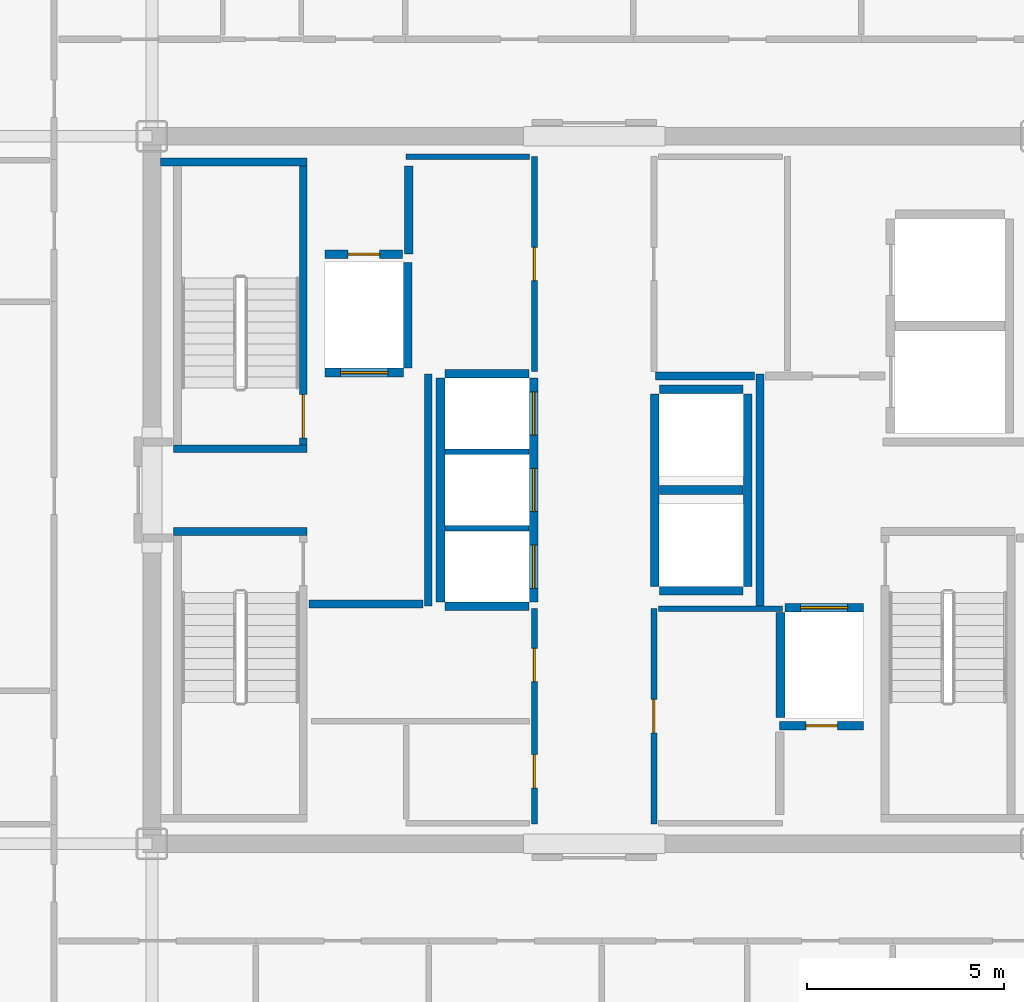
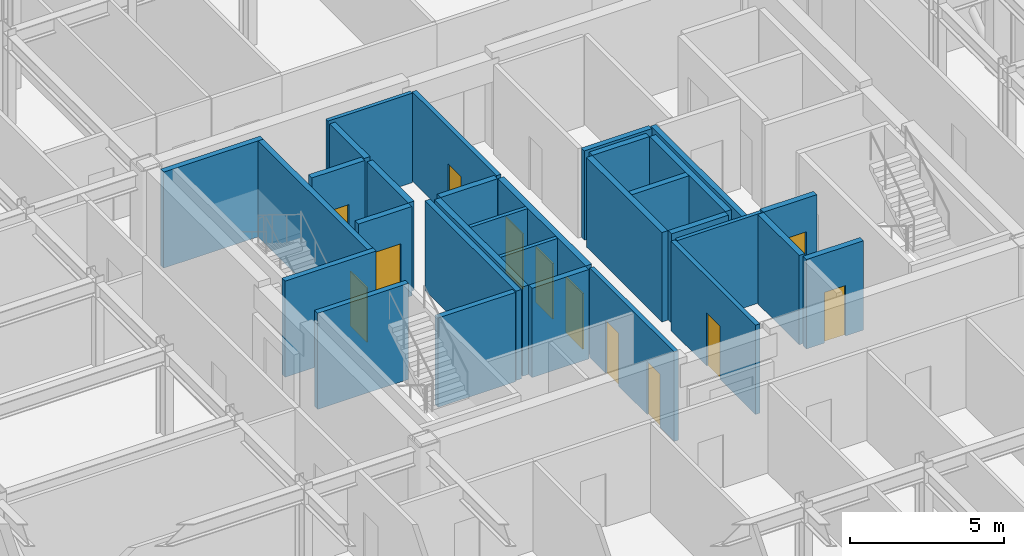
# One storey, part 12 of 16: 31 walls, 12 doors, 12 openings.
"""IFC4 building model written with IfcOpenShell, lengths in metres."""

from ifc_helpers import new_model, si_unit, direction, frame, frame_2d, origin, place, context, subcontext, project, spatial, rectangle, extrude, source, transform, mapped, material, layer, layer_set, type_object, element, fill, save


model = new_model("IFC4")

# Units and contexts
model_context = context("Model", 3, precision=1e-05, world=origin(), true_north=direction((0.0, 1.0)))
body_context = subcontext(model_context, "Body", "Model", "MODEL_VIEW")
ifc_project = project(units=[si_unit("LENGTHUNIT", "METRE"), si_unit("AREAUNIT", "SQUARE_METRE"), si_unit("VOLUMEUNIT", "CUBIC_METRE"), si_unit("PLANEANGLEUNIT", "RADIAN"), si_unit("MASSUNIT", "GRAM", prefix="KILO")], contexts=[model_context])

# Site, building, storey
site_placement = place(None, origin())
site = spatial("IfcSite", under=ifc_project, at=site_placement, CompositionType="ELEMENT")
building_placement = place(site_placement, origin())
building = spatial("IfcBuilding", under=site, at=building_placement, Name="Nefas-Gora Pilgrimage Tower", CompositionType="ELEMENT")
storey_placement = place(building_placement, frame((0.0, 0.0, 276.0)))
storey = spatial("IfcBuildingStorey", under=building, at=storey_placement, Name="L69", CompositionType="ELEMENT", Elevation=276.0)

# Walls
ifc_material_1 = material(Name="Concrete C45/55", Category="concrete")
ifc_layer_1 = layer(ifc_material_1, 0.199951171875)
ifc_layer_set_1 = layer_set([ifc_layer_1], Name="Concrete C45/55")
wall_type_1 = type_object("IfcWallType", Name="IW-STAIR-200", PredefinedType="SOLIDWALL", material=ifc_layer_set_1)
shared_shape_1 = source(origin(), body_context, "Body", "SweptSolid", [
    extrude(rectangle(XDim=3.39990234375, YDim=0.199951171875, at=frame_2d((1.699951171875, 0.0))), origin(), (0.0, 0.0, 1.0), 3.800048828125),
])
for number, where, z_axis, x_axis, name in (
    (1, (-7.300048828125, 1.050048828125, 0.0), (0.0, 0.0, 1.0), (-1.0, 0.0, 0.0), "L69 Stairwell Shear Wall ST-01-near"),
    (2, (-10.699951171875, -1.050048828125, 0.0), (0.0, 0.0, 1.0), (1.0, 0.0, 0.0), "L69 Stairwell Shear Wall ST-03-near"),
):
    element("IfcWall", number, at=place(storey_placement, frame(where, z_axis=z_axis, x_axis=x_axis)), inside=storey, type_object=wall_type_1, Name=name, PredefinedType="SOLIDWALL", context=body_context, shape_type="MappedRepresentation", body=[
        mapped(shared_shape_1, transform((0.0, 0.0, 0.0), x_axis=(1.0, 0.0, 0.0), y_axis=(0.0, 1.0, 0.0), z_axis=(0.0, 0.0, 1.0), scale=1.0)),
    ])

# Wall, opening, door
shared_shape_2 = source(origin(), body_context, "Body", "SweptSolid", [
    extrude(rectangle(XDim=7.10009765625, YDim=0.199951171875, at=frame_2d((3.550048828125, 0.0))), origin(), (0.0, 0.0, 1.0), 3.800048828125),
])
wall_1_placement = place(storey_placement, frame((-7.39990234375, 1.14990234375, 0.0), z_axis=(0.0, 0.0, 1.0), x_axis=(0.0, 1.0, 0.0)))
wall_1 = element("IfcWall", 3, at=wall_1_placement, inside=storey, type_object=wall_type_1, Name="L69 Stairwell Shear Wall ST-01-left", PredefinedType="SOLIDWALL", context=body_context, shape_type="MappedRepresentation", body=[
    mapped(shared_shape_2, transform((0.0, 0.0, 0.0), x_axis=(1.0, 0.0, 0.0), y_axis=(0.0, 1.0, 0.0), z_axis=(0.0, 0.0, 1.0), scale=1.0)),
])
opening_1_placement = place(wall_1_placement, frame((0.179931640625, 0.0, 0.0)))
opening_1 = element("IfcOpeningElement", 4, at=opening_1_placement, cuts=wall_1, Name="Opening ID-ST1", PredefinedType="OPENING", context=body_context, shape_type="SweptSolid", body=[
    extrude(rectangle(XDim=1.10009765625, YDim=2.14990234375, at=frame_2d((0.550048828125, 1.074951171875))), frame((0.0, 0.10986328125, 0.0), z_axis=(0.0, -1.0, 0.0), x_axis=(1.0, 0.0, 0.0)), (0.0, 0.0, 1.0), 0.219970703125),
])
ifc_material_2 = material(Name="Painted galvanised steel fire stair door", Category="steel")
door_type_1 = type_object("IfcDoorType", Name="DR-INT-STAIR-1100", OperationType="NOTDEFINED", PredefinedType="DOOR", material=ifc_material_2)
shared_shape_3 = source(origin(), body_context, "Body", "SweptSolid", [
    extrude(rectangle(XDim=1.10009765625, YDim=2.14990234375, at=frame_2d((0.550048828125, 1.074951171875))), frame((0.0, 0.02490234375, 0.0), z_axis=(0.0, -1.0, 0.0), x_axis=(1.0, 0.0, 0.0)), (0.0, 0.0, 1.0), 0.050048828125),
])
door_1_placement = place(opening_1_placement, origin())
door_1 = element("IfcDoor", 5, at=door_1_placement, inside=storey, type_object=door_type_1, Name="L69 Protected Exit Stair Door ST-01", OperationType="SINGLE_SWING_LEFT", OverallHeight=2.14990234375, OverallWidth=1.10009765625, PredefinedType="DOOR", context=body_context, shape_type="MappedRepresentation", body=[
    mapped(shared_shape_3, transform((0.0, 0.0, 0.0), x_axis=(1.0, 0.0, 0.0), y_axis=(0.0, 1.0, 0.0), z_axis=(0.0, 0.0, 1.0), scale=1.0)),
])
fill(opening_1, door_1)

# Wall
shared_shape_4 = source(origin(), body_context, "Body", "SweptSolid", [
    extrude(rectangle(XDim=3.72998046875, YDim=0.199951171875, at=frame_2d((1.864990234375, 0.0))), origin(), (0.0, 0.0, 1.0), 3.800048828125),
])
wall_2_placement = place(storey_placement, frame((-7.300048828125, 8.35009765625, 0.0), z_axis=(0.0, 0.0, 1.0), x_axis=(-1.0, 0.0, 0.0)))
element("IfcWall", 6, at=wall_2_placement, inside=storey, type_object=wall_type_1, Name="L69 Stairwell Shear Wall ST-01-far", PredefinedType="SOLIDWALL", context=body_context, shape_type="MappedRepresentation", body=[
    mapped(shared_shape_4, transform((0.0, 0.0, 0.0), x_axis=(1.0, 0.0, 0.0), y_axis=(0.0, 1.0, 0.0), z_axis=(0.0, 0.0, 1.0), scale=1.0)),
])

# Wall, opening, door
ifc_material_3 = material(Name="Concrete C40/50", Category="concrete")
ifc_layer_2 = layer(ifc_material_3, 0.219970703125)
ifc_layer_set_2 = layer_set([ifc_layer_2], Name="Concrete C40/50")
wall_type_2 = type_object("IfcWallType", Name="IW-SHAFT-220", PredefinedType="SOLIDWALL", material=ifc_layer_set_2)
shared_shape_5 = source(origin(), body_context, "Body", "SweptSolid", [
    extrude(rectangle(XDim=2.0, YDim=0.219970703125, at=frame_2d((1.0, 0.0))), origin(), (0.0, 0.0, 1.0), 3.534912109375),
])
wall_3_placement = place(storey_placement, frame((-6.85009765625, 2.989990234375, 0.0), z_axis=(0.0, 0.0, 1.0), x_axis=(1.0, 0.0, 0.0)))
wall_3 = element("IfcWall", 7, at=wall_3_placement, inside=storey, type_object=wall_type_2, Name="L69 Hoistway Wall FFL-01-S", PredefinedType="SOLIDWALL", context=body_context, shape_type="MappedRepresentation", body=[
    mapped(shared_shape_5, transform((0.0, 0.0, 0.0), x_axis=(1.0, 0.0, 0.0), y_axis=(0.0, 1.0, 0.0), z_axis=(0.0, 0.0, 1.0), scale=1.0)),
])
opening_2_placement = place(wall_3_placement, frame((0.39990234375, 0.0, 0.0)))
opening_2 = element("IfcOpeningElement", 8, at=opening_2_placement, cuts=wall_3, Name="Opening LD-FF", PredefinedType="OPENING", context=body_context, shape_type="SweptSolid", body=[
    extrude(rectangle(XDim=1.199951171875, YDim=2.199951171875, at=frame_2d((0.60009765625, 1.10009765625))), frame((0.0, 0.119873046875, 0.0), z_axis=(0.0, -1.0, 0.0), x_axis=(1.0, 0.0, 0.0)), (0.0, 0.0, 1.0), 0.239990234375),
])
ifc_material_4 = material(Name="Fire-service sliding lift landing door")
door_type_2 = type_object("IfcDoorType", Name="DR-LIFT-FSAE-1200", OperationType="SLIDING_TO_LEFT", PredefinedType="DOOR", material=ifc_material_4)
shared_shape_6 = source(origin(), body_context, "Body", "SweptSolid", [
    extrude(rectangle(XDim=1.199951171875, YDim=2.199951171875, at=frame_2d((0.60009765625, 1.10009765625))), frame((0.0, 0.02490234375, 0.0), z_axis=(0.0, -1.0, 0.0), x_axis=(1.0, 0.0, 0.0)), (0.0, 0.0, 1.0), 0.050048828125),
])
door_2_placement = place(opening_2_placement, origin())
door_2 = element("IfcDoor", 9, at=door_2_placement, inside=storey, type_object=door_type_2, Name="L69 Sliding Lift Landing Door FFL-01", OperationType="SLIDING_TO_LEFT", OverallHeight=2.199951171875, OverallWidth=1.199951171875, PredefinedType="DOOR", context=body_context, shape_type="MappedRepresentation", body=[
    mapped(shared_shape_6, transform((0.0, 0.0, 0.0), x_axis=(1.0, 0.0, 0.0), y_axis=(0.0, 1.0, 0.0), z_axis=(0.0, 0.0, 1.0), scale=1.0)),
])
fill(opening_2, door_2)

wall_4_placement = place(storey_placement, frame((6.85009765625, -2.989990234375, 0.0), z_axis=(0.0, 0.0, 1.0), x_axis=(-1.0, 0.0, 0.0)))
wall_4 = element("IfcWall", 10, at=wall_4_placement, inside=storey, type_object=wall_type_2, Name="L69 Hoistway Wall FFL-02-N", PredefinedType="SOLIDWALL", context=body_context, shape_type="MappedRepresentation", body=[
    mapped(shared_shape_5, transform((0.0, 0.0, 0.0), x_axis=(1.0, 0.0, 0.0), y_axis=(0.0, 1.0, 0.0), z_axis=(0.0, 0.0, 1.0), scale=1.0)),
])
opening_3_placement = place(wall_4_placement, frame((0.39990234375, 0.0, 0.0)))
opening_3 = element("IfcOpeningElement", 11, at=opening_3_placement, cuts=wall_4, Name="Opening LD-FF", PredefinedType="OPENING", context=body_context, shape_type="SweptSolid", body=[
    extrude(rectangle(XDim=1.199951171875, YDim=2.199951171875, at=frame_2d((0.60009765625, 1.10009765625))), frame((0.0, 0.119873046875, 0.0), z_axis=(0.0, -1.0, 0.0), x_axis=(1.0, 0.0, 0.0)), (0.0, 0.0, 1.0), 0.239990234375),
])
door_3_placement = place(opening_3_placement, origin())
door_3 = element("IfcDoor", 12, at=door_3_placement, inside=storey, type_object=door_type_2, Name="L69 Sliding Lift Landing Door FFL-02", OperationType="SLIDING_TO_LEFT", OverallHeight=2.199951171875, OverallWidth=1.199951171875, PredefinedType="DOOR", context=body_context, shape_type="MappedRepresentation", body=[
    mapped(shared_shape_6, transform((0.0, 0.0, 0.0), x_axis=(1.0, 0.0, 0.0), y_axis=(0.0, 1.0, 0.0), z_axis=(0.0, 0.0, 1.0), scale=1.0)),
])
fill(opening_3, door_3)

# Walls
shared_shape_7 = source(origin(), body_context, "Body", "SweptSolid", [
    extrude(rectangle(XDim=2.679931640625, YDim=0.219970703125, at=frame_2d((1.33984375, 0.0))), origin(), (0.0, 0.0, 1.0), 3.534912109375),
])
for number, where, z_axis, x_axis, name in (
    (13, (-4.739990234375, 3.110107421875, 0.0), (0.0, 0.0, 1.0), (0.0, 1.0, 0.0), "L69 Hoistway Wall FFL-01-E"),
    (14, (4.739990234375, -3.110107421875, 0.0), (0.0, 0.0, 1.0), (0.0, -1.0, 0.0), "L69 Hoistway Wall FFL-02-W"),
):
    element("IfcWall", number, at=place(storey_placement, frame(where, z_axis=z_axis, x_axis=x_axis)), inside=storey, type_object=wall_type_2, Name=name, PredefinedType="SOLIDWALL", context=body_context, shape_type="MappedRepresentation", body=[
        mapped(shared_shape_7, transform((0.0, 0.0, 0.0), x_axis=(1.0, 0.0, 0.0), y_axis=(0.0, 1.0, 0.0), z_axis=(0.0, 0.0, 1.0), scale=1.0)),
    ])

# Wall, openings, doors
shared_shape_8 = source(origin(), body_context, "Body", "SweptSolid", [
    extrude(rectangle(XDim=5.7001953125, YDim=0.219970703125, at=frame_2d((2.85009765625, 0.0))), origin(), (0.0, 0.0, 1.0), 3.534912109375),
])
wall_5_placement = place(storey_placement, frame((-1.5400390625, -2.85009765625, 0.0), z_axis=(0.0, 0.0, 1.0), x_axis=(0.0, 1.0, 0.0)))
wall_5 = element("IfcWall", 15, at=wall_5_placement, inside=storey, type_object=wall_type_2, Name="L69 Hoistway Wall PL3-01-03-E", PredefinedType="SOLIDWALL", context=body_context, shape_type="MappedRepresentation", body=[
    mapped(shared_shape_8, transform((0.0, 0.0, 0.0), x_axis=(1.0, 0.0, 0.0), y_axis=(0.0, 1.0, 0.0), z_axis=(0.0, 0.0, 1.0), scale=1.0)),
])
opening_4_placement = place(wall_5_placement, frame((0.35009765625, 0.0, 0.0)))
opening_4 = element("IfcOpeningElement", 16, at=opening_4_placement, cuts=wall_5, Name="Opening LD-01", PredefinedType="OPENING", context=body_context, shape_type="SweptSolid", body=[
    extrude(rectangle(XDim=1.10009765625, YDim=2.199951171875, at=frame_2d((0.550048828125, 1.10009765625))), frame((0.0, 0.119873046875, 0.0), z_axis=(0.0, -1.0, 0.0), x_axis=(1.0, 0.0, 0.0)), (0.0, 0.0, 1.0), 0.239990234375),
])
opening_5_placement = place(wall_5_placement, frame((2.300048828125, 0.0, 0.0)))
opening_5 = element("IfcOpeningElement", 17, at=opening_5_placement, cuts=wall_5, Name="Opening LD-01", PredefinedType="OPENING", context=body_context, shape_type="SweptSolid", body=[
    extrude(rectangle(XDim=1.10009765625, YDim=2.199951171875, at=frame_2d((0.550048828125, 1.10009765625))), frame((0.0, 0.119873046875, 0.0), z_axis=(0.0, -1.0, 0.0), x_axis=(1.0, 0.0, 0.0)), (0.0, 0.0, 1.0), 0.239990234375),
])
opening_6_placement = place(wall_5_placement, frame((4.25, 0.0, 0.0)))
opening_6 = element("IfcOpeningElement", 18, at=opening_6_placement, cuts=wall_5, Name="Opening LD-01", PredefinedType="OPENING", context=body_context, shape_type="SweptSolid", body=[
    extrude(rectangle(XDim=1.10009765625, YDim=2.199951171875, at=frame_2d((0.550048828125, 1.10009765625))), frame((0.0, 0.119873046875, 0.0), z_axis=(0.0, -1.0, 0.0), x_axis=(1.0, 0.0, 0.0)), (0.0, 0.0, 1.0), 0.239990234375),
])
ifc_material_5 = material(Name="Brushed stainless sliding lift landing door")
door_type_3 = type_object("IfcDoorType", Name="DR-LIFT-PASS-1100", OperationType="DOUBLE_DOOR_SLIDING", PredefinedType="DOOR", material=ifc_material_5)
shared_shape_9 = source(origin(), body_context, "Body", "SweptSolid", [
    extrude(rectangle(XDim=1.10009765625, YDim=2.199951171875, at=frame_2d((0.550048828125, 1.10009765625))), frame((0.0, 0.02490234375, 0.0), z_axis=(0.0, -1.0, 0.0), x_axis=(1.0, 0.0, 0.0)), (0.0, 0.0, 1.0), 0.050048828125),
])
door_4_placement = place(opening_4_placement, origin())
door_4 = element("IfcDoor", 19, at=door_4_placement, inside=storey, type_object=door_type_3, Name="L69 Sliding Lift Landing Door PL3-01", OperationType="DOUBLE_DOOR_SLIDING", OverallHeight=2.199951171875, OverallWidth=1.10009765625, PredefinedType="DOOR", context=body_context, shape_type="MappedRepresentation", body=[
    mapped(shared_shape_9, transform((0.0, 0.0, 0.0), x_axis=(1.0, 0.0, 0.0), y_axis=(0.0, 1.0, 0.0), z_axis=(0.0, 0.0, 1.0), scale=1.0)),
])
fill(opening_4, door_4)
door_5_placement = place(opening_5_placement, origin())
door_5 = element("IfcDoor", 20, at=door_5_placement, inside=storey, type_object=door_type_3, Name="L69 Sliding Lift Landing Door PL3-02", OperationType="DOUBLE_DOOR_SLIDING", OverallHeight=2.199951171875, OverallWidth=1.10009765625, PredefinedType="DOOR", context=body_context, shape_type="MappedRepresentation", body=[
    mapped(shared_shape_9, transform((0.0, 0.0, 0.0), x_axis=(1.0, 0.0, 0.0), y_axis=(0.0, 1.0, 0.0), z_axis=(0.0, 0.0, 1.0), scale=1.0)),
])
fill(opening_5, door_5)
door_6_placement = place(opening_6_placement, origin())
door_6 = element("IfcDoor", 21, at=door_6_placement, inside=storey, type_object=door_type_3, Name="L69 Sliding Lift Landing Door PL3-03", OperationType="DOUBLE_DOOR_SLIDING", OverallHeight=2.199951171875, OverallWidth=1.10009765625, PredefinedType="DOOR", context=body_context, shape_type="MappedRepresentation", body=[
    mapped(shared_shape_9, transform((0.0, 0.0, 0.0), x_axis=(1.0, 0.0, 0.0), y_axis=(0.0, 1.0, 0.0), z_axis=(0.0, 0.0, 1.0), scale=1.0)),
])
fill(opening_6, door_6)

# Walls
wall_6_placement = place(storey_placement, frame((-3.909912109375, 2.85009765625, 0.0), z_axis=(0.0, 0.0, 1.0), x_axis=(0.0, -1.0, 0.0)))
element("IfcWall", 22, at=wall_6_placement, inside=storey, type_object=wall_type_2, Name="L69 Hoistway Wall PL3-01-03-W", PredefinedType="SOLIDWALL", context=body_context, shape_type="MappedRepresentation", body=[
    mapped(shared_shape_8, transform((0.0, 0.0, 0.0), x_axis=(1.0, 0.0, 0.0), y_axis=(0.0, 1.0, 0.0), z_axis=(0.0, 0.0, 1.0), scale=1.0)),
])
shared_shape_10 = source(origin(), body_context, "Body", "SweptSolid", [
    extrude(rectangle(XDim=2.130126953125, YDim=0.219970703125, at=frame_2d((1.06494140625, 0.0))), origin(), (0.0, 0.0, 1.0), 3.534912109375),
])
for number, where, z_axis, x_axis, name in (
    (23, (-3.7900390625, -2.9599609375, 0.0), (0.0, 0.0, 1.0), (1.0, 0.0, 0.0), "L69 Hoistway Wall PL3-01-S"),
    (24, (-1.659912109375, 2.9599609375, 0.0), (0.0, 0.0, 1.0), (-1.0, 0.0, 0.0), "L69 Hoistway Wall PL3-03-N"),
    (25, (1.659912109375, -2.56005859375, 0.0), (0.0, 0.0, 1.0), (1.0, 0.0, 0.0), "L69 Hoistway Wall OBS-01-S"),
    (26, (1.659912109375, 0.0, 0.0), (0.0, 0.0, 1.0), (1.0, 0.0, 0.0), "L69 Hoistway Wall OBS-01-02-DIV"),
    (27, (3.7900390625, 2.56005859375, 0.0), (0.0, 0.0, 1.0), (-1.0, 0.0, 0.0), "L69 Hoistway Wall OBS-02-N"),
):
    element("IfcWall", number, at=place(storey_placement, frame(where, z_axis=z_axis, x_axis=x_axis)), inside=storey, type_object=wall_type_2, Name=name, PredefinedType="SOLIDWALL", context=body_context, shape_type="MappedRepresentation", body=[
        mapped(shared_shape_10, transform((0.0, 0.0, 0.0), x_axis=(1.0, 0.0, 0.0), y_axis=(0.0, 1.0, 0.0), z_axis=(0.0, 0.0, 1.0), scale=1.0)),
    ])

# Wall, opening, door
wall_7_placement = place(storey_placement, frame((4.719970703125, -6.0, 0.0), z_axis=(0.0, 0.0, 1.0), x_axis=(1.0, 0.0, 0.0)))
wall_7 = element("IfcWall", 28, at=wall_7_placement, inside=storey, type_object=wall_type_2, Name="L69 Riser Shaft Wall 3", PredefinedType="SOLIDWALL", context=body_context, shape_type="MappedRepresentation", body=[
    mapped(shared_shape_10, transform((0.0, 0.0, 0.0), x_axis=(1.0, 0.0, 0.0), y_axis=(0.0, 1.0, 0.0), z_axis=(0.0, 0.0, 1.0), scale=1.0)),
])
opening_7_placement = place(wall_7_placement, frame((0.6650390625, 0.0, 0.0)))
opening_7 = element("IfcOpeningElement", 29, at=opening_7_placement, cuts=wall_7, Name="Opening ID-TR1", PredefinedType="OPENING", context=body_context, shape_type="SweptSolid", body=[
    extrude(rectangle(XDim=0.800048828125, YDim=2.0, at=frame_2d((0.39990234375, 1.0))), frame((0.0, 0.119873046875, 0.0), z_axis=(0.0, -1.0, 0.0), x_axis=(1.0, 0.0, 0.0)), (0.0, 0.0, 1.0), 0.239990234375),
])
ifc_material_6 = material(Name="Riser maintenance fire access door")
door_type_4 = type_object("IfcDoorType", Name="DR-INT-TRAP-800", OperationType="NOTDEFINED", PredefinedType="TRAPDOOR", material=ifc_material_6)
shared_shape_11 = source(origin(), body_context, "Body", "SweptSolid", [
    extrude(rectangle(XDim=0.800048828125, YDim=2.0, at=frame_2d((0.39990234375, 1.0))), frame((0.0, 0.02490234375, 0.0), z_axis=(0.0, -1.0, 0.0), x_axis=(1.0, 0.0, 0.0)), (0.0, 0.0, 1.0), 0.050048828125),
])
door_7_placement = place(opening_7_placement, origin())
door_7 = element("IfcDoor", 30, at=door_7_placement, inside=storey, type_object=door_type_4, Name="L69 Riser Shaft Door 2", OperationType="SINGLE_SWING_RIGHT", OverallHeight=2.0, OverallWidth=0.800048828125, PredefinedType="TRAPDOOR", context=body_context, shape_type="MappedRepresentation", body=[
    mapped(shared_shape_11, transform((0.0, 0.0, 0.0), x_axis=(1.0, 0.0, 0.0), y_axis=(0.0, 1.0, 0.0), z_axis=(0.0, 0.0, 1.0), scale=1.0)),
])
fill(opening_7, door_7)

# Walls
ifc_material_7 = material(Name="Gypsum twin-stud partition")
ifc_layer_3 = layer(ifc_material_7, 0.139892578125)
ifc_layer_set_3 = layer_set([ifc_layer_3], Name="Gypsum twin-stud partition")
wall_type_3 = type_object("IfcWallType", Name="IW-UNIT-140", PredefinedType="PARTITIONING", material=ifc_layer_set_3)
shared_shape_12 = source(origin(), body_context, "Body", "SweptSolid", [
    extrude(rectangle(XDim=2.130126953125, YDim=0.139892578125, at=frame_2d((1.06494140625, 0.0))), origin(), (0.0, 0.0, 1.0), 3.534912109375),
])
for number, where, z_axis, x_axis, name in (
    (31, (-3.7900390625, -0.97509765625, 0.0), (0.0, 0.0, 1.0), (1.0, 0.0, 0.0), "L69 Hoistway Wall PL3-01-02-DIV"),
    (32, (-3.7900390625, 0.97509765625, 0.0), (0.0, 0.0, 1.0), (1.0, 0.0, 0.0), "L69 Hoistway Wall PL3-02-03-DIV"),
):
    element("IfcWall", number, at=place(storey_placement, frame(where, z_axis=z_axis, x_axis=x_axis)), inside=storey, type_object=wall_type_3, Name=name, PredefinedType="PARTITIONING", context=body_context, shape_type="MappedRepresentation", body=[
        mapped(shared_shape_12, transform((0.0, 0.0, 0.0), x_axis=(1.0, 0.0, 0.0), y_axis=(0.0, 1.0, 0.0), z_axis=(0.0, 0.0, 1.0), scale=1.0)),
    ])
shared_shape_13 = source(origin(), body_context, "Body", "SweptSolid", [
    extrude(rectangle(XDim=4.89990234375, YDim=0.219970703125, at=frame_2d((2.449951171875, 0.0))), origin(), (0.0, 0.0, 1.0), 3.534912109375),
])
for number, where, z_axis, x_axis, name in (
    (33, (1.5400390625, 2.449951171875, 0.0), (0.0, 0.0, 1.0), (0.0, -1.0, 0.0), "L69 Hoistway Wall OBS-01-02-W"),
    (34, (3.909912109375, -2.449951171875, 0.0), (0.0, 0.0, 1.0), (0.0, 1.0, 0.0), "L69 Hoistway Wall OBS-01-02-E"),
):
    element("IfcWall", number, at=place(storey_placement, frame(where, z_axis=z_axis, x_axis=x_axis)), inside=storey, type_object=wall_type_2, Name=name, PredefinedType="SOLIDWALL", context=body_context, shape_type="MappedRepresentation", body=[
        mapped(shared_shape_13, transform((0.0, 0.0, 0.0), x_axis=(1.0, 0.0, 0.0), y_axis=(0.0, 1.0, 0.0), z_axis=(0.0, 0.0, 1.0), scale=1.0)),
    ])
ifc_material_8 = material(Name="Gypsum fire-rated shaftwall")
ifc_layer_4 = layer(ifc_material_8, 0.199951171875)
ifc_layer_set_4 = layer_set([ifc_layer_4], Name="Gypsum fire-rated shaftwall")
wall_type_4 = type_object("IfcWallType", Name="IW-FFLOB-200", PredefinedType="PARTITIONING", material=ifc_layer_set_4)
shared_shape_14 = source(origin(), body_context, "Body", "SweptSolid", [
    extrude(rectangle(XDim=5.89990234375, YDim=0.199951171875, at=frame_2d((2.949951171875, 0.0))), origin(), (0.0, 0.0, 1.0), 3.534912109375),
])
for number, where, z_axis, x_axis, name in (
    (35, (-4.219970703125, -2.949951171875, 0.0), (0.0, 0.0, 1.0), (0.0, 1.0, 0.0), "L69 FF Lobby West Inner Wall Wall 6"),
    (36, (4.219970703125, -2.949951171875, 0.0), (0.0, 0.0, 1.0), (0.0, 1.0, 0.0), "L69 FF Lobby East Inner Wall Wall 11"),
):
    element("IfcWall", number, at=place(storey_placement, frame(where, z_axis=z_axis, x_axis=x_axis)), inside=storey, type_object=wall_type_4, Name=name, PredefinedType="PARTITIONING", context=body_context, shape_type="MappedRepresentation", body=[
        mapped(shared_shape_14, transform((0.0, 0.0, 0.0), x_axis=(1.0, 0.0, 0.0), y_axis=(0.0, 1.0, 0.0), z_axis=(0.0, 0.0, 1.0), scale=1.0)),
    ])
shared_shape_15 = source(origin(), body_context, "Body", "SweptSolid", [
    extrude(rectangle(XDim=2.89990234375, YDim=0.199951171875, at=frame_2d((1.449951171875, 0.0))), origin(), (0.0, 0.0, 1.0), 3.534912109375),
])
wall_8_placement = place(storey_placement, frame((-7.260009765625, -2.89990234375, 0.0), z_axis=(0.0, 0.0, 1.0), x_axis=(1.0, 0.0, 0.0)))
element("IfcWall", 37, at=wall_8_placement, inside=storey, type_object=wall_type_4, Name="L69 FF Lobby West South Wall Wall 7", PredefinedType="PARTITIONING", context=body_context, shape_type="MappedRepresentation", body=[
    mapped(shared_shape_15, transform((0.0, 0.0, 0.0), x_axis=(1.0, 0.0, 0.0), y_axis=(0.0, 1.0, 0.0), z_axis=(0.0, 0.0, 1.0), scale=1.0)),
])
shared_shape_16 = source(origin(), body_context, "Body", "SweptSolid", [
    extrude(rectangle(XDim=3.150146484375, YDim=0.139892578125, at=frame_2d((1.5751953125, 0.0))), origin(), (0.0, 0.0, 1.0), 3.534912109375),
])
for number, where, z_axis, x_axis, name in (
    (38, (-4.7900390625, 8.47998046875, 0.0), (0.0, 0.0, 1.0), (1.0, 0.0, 0.0), "L69 Housekeeping and Linen Store Partition Wall 20"),
    (39, (1.639892578125, -3.02001953125, 0.0), (0.0, 0.0, 1.0), (1.0, 0.0, 0.0), "L69 Freed Bank-2 East Linen Store Partition Wall 28"),
):
    element("IfcWall", number, at=place(storey_placement, frame(where, z_axis=z_axis, x_axis=x_axis)), inside=storey, type_object=wall_type_3, Name=name, PredefinedType="PARTITIONING", context=body_context, shape_type="MappedRepresentation", body=[
        mapped(shared_shape_16, transform((0.0, 0.0, 0.0), x_axis=(1.0, 0.0, 0.0), y_axis=(0.0, 1.0, 0.0), z_axis=(0.0, 0.0, 1.0), scale=1.0)),
    ])
shared_shape_17 = source(origin(), body_context, "Body", "SweptSolid", [
    extrude(rectangle(XDim=2.25, YDim=0.219970703125, at=frame_2d((1.125, 0.0))), origin(), (0.0, 0.0, 1.0), 3.534912109375),
])
wall_9_placement = place(storey_placement, frame((-4.719970703125, 6.0, 0.0), z_axis=(0.0, 0.0, 1.0), x_axis=(0.0, 1.0, 0.0)))
element("IfcWall", 40, at=wall_9_placement, inside=storey, type_object=wall_type_2, Name="L69 Riser Shaft Wall 1", PredefinedType="SOLIDWALL", context=body_context, shape_type="MappedRepresentation", body=[
    mapped(shared_shape_17, transform((0.0, 0.0, 0.0), x_axis=(1.0, 0.0, 0.0), y_axis=(0.0, 1.0, 0.0), z_axis=(0.0, 0.0, 1.0), scale=1.0)),
])

# Wall, opening, door
shared_shape_18 = source(origin(), body_context, "Body", "SweptSolid", [
    extrude(rectangle(XDim=1.97998046875, YDim=0.219970703125, at=frame_2d((0.989990234375, 0.0))), origin(), (0.0, 0.0, 1.0), 3.534912109375),
])
wall_10_placement = place(storey_placement, frame((-6.85009765625, 6.0, 0.0), z_axis=(0.0, 0.0, 1.0), x_axis=(1.0, 0.0, 0.0)))
wall_10 = element("IfcWall", 41, at=wall_10_placement, inside=storey, type_object=wall_type_2, Name="L69 Riser Shaft Wall 2", PredefinedType="SOLIDWALL", context=body_context, shape_type="MappedRepresentation", body=[
    mapped(shared_shape_18, transform((0.0, 0.0, 0.0), x_axis=(1.0, 0.0, 0.0), y_axis=(0.0, 1.0, 0.0), z_axis=(0.0, 0.0, 1.0), scale=1.0)),
])
opening_8_placement = place(wall_10_placement, frame((0.590087890625, 0.0, 0.0)))
opening_8 = element("IfcOpeningElement", 42, at=opening_8_placement, cuts=wall_10, Name="Opening ID-TR1", PredefinedType="OPENING", context=body_context, shape_type="SweptSolid", body=[
    extrude(rectangle(XDim=0.800048828125, YDim=2.0, at=frame_2d((0.39990234375, 1.0))), frame((0.0, 0.119873046875, 0.0), z_axis=(0.0, -1.0, 0.0), x_axis=(1.0, 0.0, 0.0)), (0.0, 0.0, 1.0), 0.239990234375),
])
door_8_placement = place(opening_8_placement, origin())
door_8 = element("IfcDoor", 43, at=door_8_placement, inside=storey, type_object=door_type_4, Name="L69 Riser Shaft Door 1", OperationType="SINGLE_SWING_LEFT", OverallHeight=2.0, OverallWidth=0.800048828125, PredefinedType="TRAPDOOR", context=body_context, shape_type="MappedRepresentation", body=[
    mapped(shared_shape_11, transform((0.0, 0.0, 0.0), x_axis=(1.0, 0.0, 0.0), y_axis=(0.0, 1.0, 0.0), z_axis=(0.0, 0.0, 1.0), scale=1.0)),
])
fill(opening_8, door_8)

# Wall
shared_shape_19 = source(origin(), body_context, "Body", "SweptSolid", [
    extrude(rectangle(XDim=2.52001953125, YDim=0.199951171875, at=frame_2d((1.260009765625, 0.0))), origin(), (0.0, 0.0, 1.0), 3.534912109375),
])
wall_11_placement = place(storey_placement, frame((1.56005859375, 2.89990234375, 0.0), z_axis=(0.0, 0.0, 1.0), x_axis=(1.0, 0.0, 0.0)))
element("IfcWall", 44, at=wall_11_placement, inside=storey, type_object=wall_type_4, Name="L69 FF Lobby East North Wall Wall 12", PredefinedType="PARTITIONING", context=body_context, shape_type="MappedRepresentation", body=[
    mapped(shared_shape_19, transform((0.0, 0.0, 0.0), x_axis=(1.0, 0.0, 0.0), y_axis=(0.0, 1.0, 0.0), z_axis=(0.0, 0.0, 1.0), scale=1.0)),
])

# Wall, opening, door
ifc_material_9 = material(Name="Gypsum acoustic stud partition")
ifc_layer_5 = layer(ifc_material_9, 0.159912109375)
ifc_layer_set_5 = layer_set([ifc_layer_5], Name="Gypsum acoustic stud partition")
wall_type_5 = type_object("IfcWallType", Name="IW-CORR-160", PredefinedType="PARTITIONING", material=ifc_layer_set_5)
shared_shape_20 = source(origin(), body_context, "Body", "SweptSolid", [
    extrude(rectangle(XDim=5.47998046875, YDim=0.159912109375, at=frame_2d((2.739990234375, 0.0))), origin(), (0.0, 0.0, 1.0), 3.534912109375),
])
wall_12_placement = place(storey_placement, frame((-1.52001953125, 3.010009765625, 0.0), z_axis=(0.0, 0.0, 1.0), x_axis=(0.0, 1.0, 0.0)))
wall_12 = element("IfcWall", 45, at=wall_12_placement, inside=storey, type_object=wall_type_5, Name="L69 Housekeeping and Linen Store Wall 19", PredefinedType="PARTITIONING", context=body_context, shape_type="MappedRepresentation", body=[
    mapped(shared_shape_20, transform((0.0, 0.0, 0.0), x_axis=(1.0, 0.0, 0.0), y_axis=(0.0, 1.0, 0.0), z_axis=(0.0, 0.0, 1.0), scale=1.0)),
])
opening_9_placement = place(wall_12_placement, frame((2.31494140625, 0.0, 0.0)))
opening_9 = element("IfcOpeningElement", 46, at=opening_9_placement, cuts=wall_12, Name="Opening ID-BT1", PredefinedType="OPENING", context=body_context, shape_type="SweptSolid", body=[
    extrude(rectangle(XDim=0.85009765625, YDim=2.10009765625, at=frame_2d((0.425048828125, 1.050048828125))), frame((0.0, 0.08984375, 0.0), z_axis=(0.0, -1.0, 0.0), x_axis=(1.0, 0.0, 0.0)), (0.0, 0.0, 1.0), 0.179931640625),
])
ifc_material_10 = material(Name="Moisture-resistant fire-rated timber door", Category="wood")
door_type_5 = type_object("IfcDoorType", Name="DR-INT-BATH-850", OperationType="NOTDEFINED", PredefinedType="DOOR", material=ifc_material_10)
shared_shape_21 = source(origin(), body_context, "Body", "SweptSolid", [
    extrude(rectangle(XDim=0.85009765625, YDim=2.10009765625, at=frame_2d((0.425048828125, 1.050048828125))), frame((0.0, 0.02490234375, 0.0), z_axis=(0.0, -1.0, 0.0), x_axis=(1.0, 0.0, 0.0)), (0.0, 0.0, 1.0), 0.050048828125),
])
door_9_placement = place(opening_9_placement, origin())
door_9 = element("IfcDoor", 47, at=door_9_placement, inside=storey, type_object=door_type_5, Name="L69 Housekeeping and Linen Store Door 8", OperationType="SINGLE_SWING_RIGHT", OverallHeight=2.10009765625, OverallWidth=0.85009765625, PredefinedType="DOOR", context=body_context, shape_type="MappedRepresentation", body=[
    mapped(shared_shape_21, transform((0.0, 0.0, 0.0), x_axis=(1.0, 0.0, 0.0), y_axis=(0.0, 1.0, 0.0), z_axis=(0.0, 0.0, 1.0), scale=1.0)),
])
fill(opening_9, door_9)

# Wall, openings, doors
wall_13_placement = place(storey_placement, frame((-1.52001953125, -8.489990234375, 0.0), z_axis=(0.0, 0.0, 1.0), x_axis=(0.0, 1.0, 0.0)))
wall_13 = element("IfcWall", 48, at=wall_13_placement, inside=storey, type_object=wall_type_5, Name="L69 Pilgrim Baggage and Gear Vault Wall 21", PredefinedType="PARTITIONING", context=body_context, shape_type="MappedRepresentation", body=[
    mapped(shared_shape_20, transform((0.0, 0.0, 0.0), x_axis=(1.0, 0.0, 0.0), y_axis=(0.0, 1.0, 0.0), z_axis=(0.0, 0.0, 1.0), scale=1.0)),
])
opening_10_placement = place(wall_13_placement, frame((0.907470703125, 0.0, 0.0)))
opening_10 = element("IfcOpeningElement", 49, at=opening_10_placement, cuts=wall_13, Name="Opening ID-BT1", PredefinedType="OPENING", context=body_context, shape_type="SweptSolid", body=[
    extrude(rectangle(XDim=0.85009765625, YDim=2.10009765625, at=frame_2d((0.425048828125, 1.050048828125))), frame((0.0, 0.08984375, 0.0), z_axis=(0.0, -1.0, 0.0), x_axis=(1.0, 0.0, 0.0)), (0.0, 0.0, 1.0), 0.179931640625),
])
opening_11_placement = place(wall_13_placement, frame((3.614990234375, 0.0, 0.0)))
opening_11 = element("IfcOpeningElement", 50, at=opening_11_placement, cuts=wall_13, Name="Opening ID-BT1", PredefinedType="OPENING", context=body_context, shape_type="SweptSolid", body=[
    extrude(rectangle(XDim=0.85009765625, YDim=2.10009765625, at=frame_2d((0.425048828125, 1.050048828125))), frame((0.0, 0.08984375, 0.0), z_axis=(0.0, -1.0, 0.0), x_axis=(1.0, 0.0, 0.0)), (0.0, 0.0, 1.0), 0.179931640625),
])
door_10_placement = place(opening_10_placement, origin())
door_10 = element("IfcDoor", 51, at=door_10_placement, inside=storey, type_object=door_type_5, Name="L69 Freed Bank-2 West Supply Vault Door 9", OperationType="SINGLE_SWING_LEFT", OverallHeight=2.10009765625, OverallWidth=0.85009765625, PredefinedType="DOOR", context=body_context, shape_type="MappedRepresentation", body=[
    mapped(shared_shape_21, transform((0.0, 0.0, 0.0), x_axis=(1.0, 0.0, 0.0), y_axis=(0.0, 1.0, 0.0), z_axis=(0.0, 0.0, 1.0), scale=1.0)),
])
fill(opening_10, door_10)
door_11_placement = place(opening_11_placement, origin())
door_11 = element("IfcDoor", 52, at=door_11_placement, inside=storey, type_object=door_type_5, Name="L69 Pilgrim Baggage and Gear Vault Door 10", OperationType="SINGLE_SWING_RIGHT", OverallHeight=2.10009765625, OverallWidth=0.85009765625, PredefinedType="DOOR", context=body_context, shape_type="MappedRepresentation", body=[
    mapped(shared_shape_21, transform((0.0, 0.0, 0.0), x_axis=(1.0, 0.0, 0.0), y_axis=(0.0, 1.0, 0.0), z_axis=(0.0, 0.0, 1.0), scale=1.0)),
])
fill(opening_11, door_11)

# Wall, opening, door
wall_14_placement = place(storey_placement, frame((1.52001953125, -8.489990234375, 0.0), z_axis=(0.0, 0.0, 1.0), x_axis=(0.0, 1.0, 0.0)))
wall_14 = element("IfcWall", 53, at=wall_14_placement, inside=storey, type_object=wall_type_5, Name="L69 Freed Bank-2 East Linen Store Wall 27", PredefinedType="PARTITIONING", context=body_context, shape_type="MappedRepresentation", body=[
    mapped(shared_shape_20, transform((0.0, 0.0, 0.0), x_axis=(1.0, 0.0, 0.0), y_axis=(0.0, 1.0, 0.0), z_axis=(0.0, 0.0, 1.0), scale=1.0)),
])
opening_12_placement = place(wall_14_placement, frame((2.31494140625, 0.0, 0.0)))
opening_12 = element("IfcOpeningElement", 54, at=opening_12_placement, cuts=wall_14, Name="Opening ID-BT1", PredefinedType="OPENING", context=body_context, shape_type="SweptSolid", body=[
    extrude(rectangle(XDim=0.85009765625, YDim=2.10009765625, at=frame_2d((0.425048828125, 1.050048828125))), frame((0.0, 0.08984375, 0.0), z_axis=(0.0, -1.0, 0.0), x_axis=(1.0, 0.0, 0.0)), (0.0, 0.0, 1.0), 0.179931640625),
])
door_12_placement = place(opening_12_placement, origin())
door_12 = element("IfcDoor", 55, at=door_12_placement, inside=storey, type_object=door_type_5, Name="L69 Freed Bank-2 East Linen Store Door 12", OperationType="SINGLE_SWING_RIGHT", OverallHeight=2.10009765625, OverallWidth=0.85009765625, PredefinedType="DOOR", context=body_context, shape_type="MappedRepresentation", body=[
    mapped(shared_shape_21, transform((0.0, 0.0, 0.0), x_axis=(1.0, 0.0, 0.0), y_axis=(0.0, 1.0, 0.0), z_axis=(0.0, 0.0, 1.0), scale=1.0)),
])
fill(opening_12, door_12)

save(model, "model.ifc")
